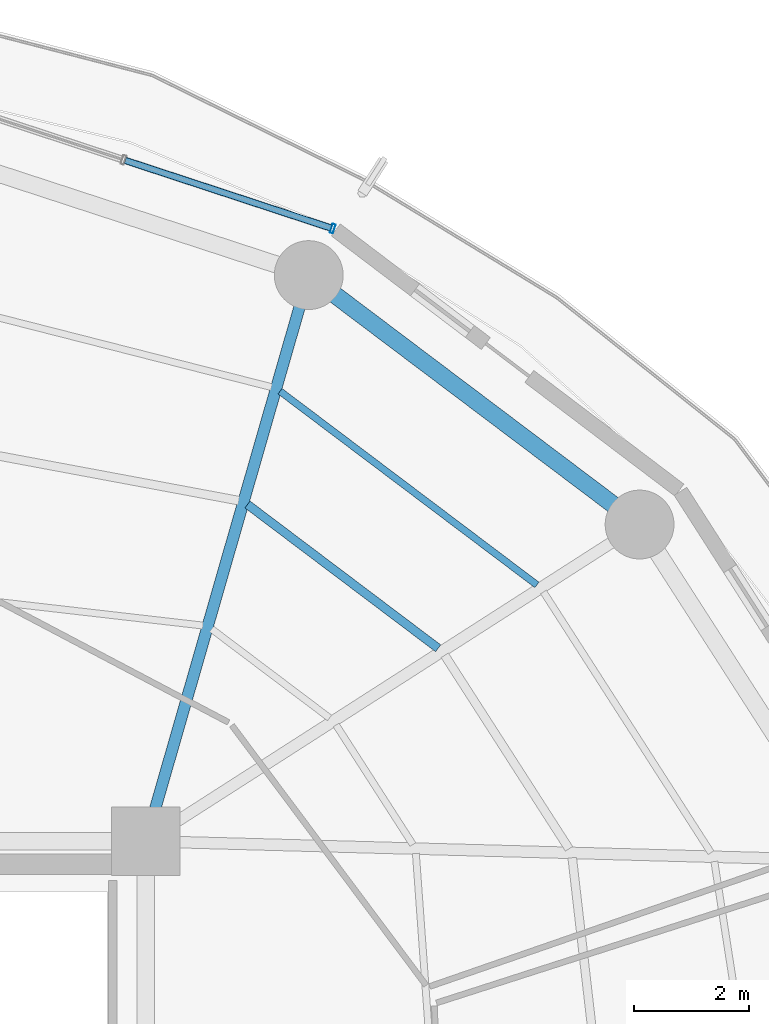
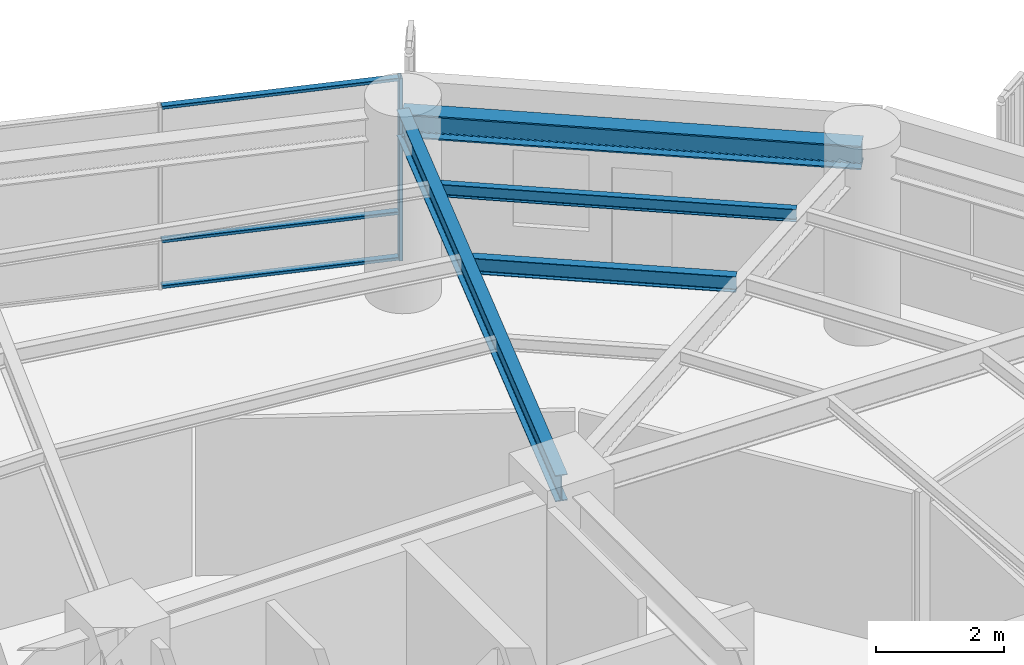
# One storey, part 19 of 27: 4 beams, 4 members, 1 element without a shape of its own.
"""IFC4 building model written with IfcOpenShell, lengths in metres."""

from ifc_helpers import new_model, si_unit, direction, frame, origin, origin_2d, place, context, subcontext, project, spatial, hollow_rectangle, i_section, extrude, material, layer, layer_set, material_profile, profile_set, type_object, element, aggregate, save


model = new_model("IFC4")

# Units and contexts
model_context = context("Model", 3, precision=1e-05, world=origin(), true_north=direction((0.0, 1.0)))
body_context = subcontext(model_context, "Body", "Model", "MODEL_VIEW")
ifc_project = project(units=[si_unit("LENGTHUNIT", "METRE"), si_unit("AREAUNIT", "SQUARE_METRE"), si_unit("VOLUMEUNIT", "CUBIC_METRE"), si_unit("PLANEANGLEUNIT", "RADIAN"), si_unit("MASSUNIT", "GRAM", prefix="KILO")], contexts=[model_context])

# Site, building, storey
site_placement = place(None, origin())
site = spatial("IfcSite", under=ifc_project, at=site_placement, CompositionType="ELEMENT")
building_placement = place(site_placement, origin())
building = spatial("IfcBuilding", under=site, at=building_placement, Name="Kelanora Arch Commons", CompositionType="ELEMENT")
storey_placement = place(building_placement, frame((0.0, 0.0, 173.10009765625)))
storey = spatial("IfcBuildingStorey", under=building, at=storey_placement, Name="L44", CompositionType="ELEMENT", Elevation=173.10009765625)

# Beams
ifc_material_1 = material(Name="Steel S355", Category="steel")
ifc_material_profile_1 = material_profile(ifc_material_1, i_section(OverallWidth=0.14990234375, OverallDepth=0.300048828125, WebThickness=0.007080078125, FlangeThickness=0.0107421875, FilletRadius=0.014892578125, at=origin_2d()), Name="IPE300")
ifc_profile_set_1 = profile_set([ifc_material_profile_1], Name="Steel S355")
beam_type_1 = type_object("IfcBeamType", Name="BM-JST-01", PredefinedType="JOIST", material=ifc_profile_set_1)
beam_1_placement = place(storey_placement, frame((87.0966796875, 68.364013671875, 3.33984375), z_axis=(-0.798463547891, 0.602043156833, 0.0), x_axis=(-0.602043156833, -0.798463547891, 0.0)))
element("IfcBeam", 1, at=beam_1_placement, inside=storey, type_object=beam_type_1, Name="Secondary Chord Joist BJB-04 L44", PredefinedType="JOIST", context=body_context, shape_type="SweptSolid", body=[
    extrude(i_section(OverallWidth=0.14990234375, OverallDepth=0.300048828125, WebThickness=0.007080078125, FlangeThickness=0.0107421875, FilletRadius=0.014892578125, at=origin_2d()), origin(), (0.0, 0.0, 1.0), 4.163818359375),
])
ifc_material_profile_2 = material_profile(ifc_material_1, i_section(OverallWidth=0.1201171875, OverallDepth=0.239990234375, WebThickness=0.006103515625, FlangeThickness=0.009765625, FilletRadius=0.014892578125, at=origin_2d()), Name="IPE240")
ifc_profile_set_2 = profile_set([ifc_material_profile_2], Name="Steel S355")
beam_type_2 = type_object("IfcBeamType", Name="BM-JST-02", PredefinedType="JOIST", material=ifc_profile_set_2)
beam_2_placement = place(storey_placement, frame((88.818359375, 69.468505859375, 3.369873046875), z_axis=(-0.798493128577, 0.602003923256, 0.0), x_axis=(-0.602003923256, -0.798493128577, 0.0)))
element("IfcBeam", 2, at=beam_2_placement, inside=storey, type_object=beam_type_2, Name="Secondary Chord Joist BJC-04 L44", PredefinedType="JOIST", context=body_context, shape_type="SweptSolid", body=[
    extrude(i_section(OverallWidth=0.1201171875, OverallDepth=0.239990234375, WebThickness=0.006103515625, FlangeThickness=0.009765625, FilletRadius=0.014892578125, at=origin_2d()), origin(), (0.0, 0.0, 1.0), 5.608642578125),
])
ifc_material_profile_3 = material_profile(ifc_material_1, i_section(OverallWidth=0.199951171875, OverallDepth=0.5, WebThickness=0.01025390625, FlangeThickness=0.01611328125, FilletRadius=0.02099609375, at=origin_2d()), Name="IPE500")
ifc_profile_set_3 = profile_set([ifc_material_profile_3], Name="Steel S355")
beam_type_3 = type_object("IfcBeamType", Name="BM-RAD-Z3", PredefinedType="BEAM", material=ifc_profile_set_3)
beam_3_placement = place(storey_placement, frame((82.0, 65.0, 3.239990234375), z_axis=(0.276525880065, 0.961006471182, 0.0), x_axis=(-0.961006471182, 0.276525880065, 0.0)))
element("IfcBeam", 3, at=beam_3_placement, inside=storey, type_object=beam_type_3, Name="Radial Floor Girder BR-06 L44", PredefinedType="BEAM", context=body_context, shape_type="SweptSolid", body=[
    extrude(i_section(OverallWidth=0.199951171875, OverallDepth=0.5, WebThickness=0.01025390625, FlangeThickness=0.01611328125, FilletRadius=0.02099609375, at=origin_2d()), origin(), (0.0, 0.0, 1.0), 10.2705078125),
])
ifc_material_profile_4 = material_profile(ifc_material_1, i_section(OverallWidth=0.300048828125, OverallDepth=0.449951171875, WebThickness=0.013916015625, FlangeThickness=0.02587890625, FilletRadius=0.027099609375, at=origin_2d()), Name="HEB450")
ifc_profile_set_4 = profile_set([ifc_material_profile_4], Name="Steel S355")
beam_type_4 = type_object("IfcBeamType", Name="BM-SPN-Z3", PredefinedType="SPANDREL", material=ifc_profile_set_4)
beam_4_placement = place(storey_placement, frame((90.60791015625, 70.521484375, 3.264892578125), z_axis=(-0.798484645564, 0.60201517489, 0.0), x_axis=(-0.60201517489, -0.798484645564, 0.0)))
element("IfcBeam", 4, at=beam_4_placement, inside=storey, type_object=beam_type_4, Name="Perimeter Spandrel Beam BS-04 L44", PredefinedType="SPANDREL", context=body_context, shape_type="SweptSolid", body=[
    extrude(i_section(OverallWidth=0.300048828125, OverallDepth=0.449951171875, WebThickness=0.013916015625, FlangeThickness=0.02587890625, FilletRadius=0.027099609375, at=origin_2d()), origin(), (0.0, 0.0, 1.0), 7.223388671875),
])

# Curtain wall, members
ifc_material_2 = material(Name="Terracotta ceramic-fritted low-E glass and aluminium", Category="masonry")
ifc_layer = layer(ifc_material_2, 0.175048828125)
ifc_layer_set = layer_set([ifc_layer], Name="Terracotta ceramic-fritted low-E glass and aluminium")
curtain_wall_type = type_object("IfcCurtainWallType", Name="CW-SYS-02", PredefinedType="NOTDEFINED", material=ifc_layer_set)
curtain_wall_placement = place(storey_placement, origin())
curtain_wall = element("IfcCurtainWall", 5, at=curtain_wall_placement, inside=storey, type_object=curtain_wall_type, Name="Unitised Curtain Wall L44-B03", PredefinedType="NOTDEFINED")
ifc_material_3 = material(Name="Powder-coated aluminium terracotta", Category="masonry")
ifc_material_profile_5 = material_profile(ifc_material_3, hollow_rectangle(XDim=0.159912109375, YDim=0.06005859375, WallThickness=0.0048828125, InnerFilletRadius=0.0048828125, OuterFilletRadius=0.010009765625, at=origin_2d()), Name="CWM160x60")
ifc_profile_set_5 = profile_set([ifc_material_profile_5], Name="Powder-coated aluminium terracotta")
member_type_1 = type_object("IfcMemberType", Name="CWM-STD", PredefinedType="MULLION", material=ifc_profile_set_5)
member_1_placement = place(storey_placement, frame((85.257080078125, 75.680908203125, 0.0), z_axis=(0.0, 0.0, 1.0), x_axis=(-0.312128279571, -0.95003996605, 0.0)))
member_1 = element("IfcMember", 6, at=member_1_placement, type_object=member_type_1, Name="CW-02 mullion 1", PredefinedType="MULLION", context=body_context, shape_type="SweptSolid", body=[
    extrude(hollow_rectangle(XDim=0.159912109375, YDim=0.06005859375, WallThickness=0.0048828125, InnerFilletRadius=0.0048828125, OuterFilletRadius=0.010009765625, at=origin_2d()), origin(), (0.0, 0.0, 1.0), 3.474853515625),
])
ifc_material_profile_6 = material_profile(ifc_material_3, hollow_rectangle(XDim=0.1201171875, YDim=0.06005859375, WallThickness=0.0048828125, InnerFilletRadius=0.0048828125, OuterFilletRadius=0.010009765625, at=origin_2d()), Name="CWT120x60")
ifc_profile_set_6 = profile_set([ifc_material_profile_6], Name="Powder-coated aluminium terracotta")
member_type_2 = type_object("IfcMemberType", Name="CWT-STD", PredefinedType="USERDEFINED", material=ifc_profile_set_6)
member_2_placement = place(storey_placement, frame((85.228759765625, 75.6904296875, 0.02978515625), z_axis=(-0.950051191155, 0.312094111104, 0.0), x_axis=(-0.312094111104, -0.950051191155, 0.0)))
member_2 = element("IfcMember", 7, at=member_2_placement, type_object=member_type_2, Name="CW-02 transom 1.1", ObjectType="TRANSOM", PredefinedType="USERDEFINED", context=body_context, shape_type="SweptSolid", body=[
    extrude(hollow_rectangle(XDim=0.1201171875, YDim=0.06005859375, WallThickness=0.0048828125, InnerFilletRadius=0.0048828125, OuterFilletRadius=0.010009765625, at=origin_2d()), origin(), (0.0, 0.0, 1.0), 3.77685546875),
])
member_3_placement = place(storey_placement, frame((85.228759765625, 75.6904296875, 0.89990234375), z_axis=(-0.950051191155, 0.312094111104, 0.0), x_axis=(-0.312094111104, -0.950051191155, 0.0)))
member_3 = element("IfcMember", 8, at=member_3_placement, type_object=member_type_2, Name="CW-02 transom 1.2", ObjectType="TRANSOM", PredefinedType="USERDEFINED", context=body_context, shape_type="SweptSolid", body=[
    extrude(hollow_rectangle(XDim=0.1201171875, YDim=0.06005859375, WallThickness=0.0048828125, InnerFilletRadius=0.0048828125, OuterFilletRadius=0.010009765625, at=origin_2d()), origin(), (0.0, 0.0, 1.0), 3.77685546875),
])
member_4_placement = place(storey_placement, frame((85.228759765625, 75.6904296875, 3.44482421875), z_axis=(-0.950051191155, 0.312094111104, 0.0), x_axis=(-0.312094111104, -0.950051191155, 0.0)))
member_4 = element("IfcMember", 9, at=member_4_placement, type_object=member_type_2, Name="CW-02 transom 1.3", ObjectType="TRANSOM", PredefinedType="USERDEFINED", context=body_context, shape_type="SweptSolid", body=[
    extrude(hollow_rectangle(XDim=0.1201171875, YDim=0.06005859375, WallThickness=0.0048828125, InnerFilletRadius=0.0048828125, OuterFilletRadius=0.010009765625, at=origin_2d()), origin(), (0.0, 0.0, 1.0), 3.77685546875),
])
aggregate(curtain_wall, [member_1, member_2, member_3, member_4])

save(model, "model.ifc")
